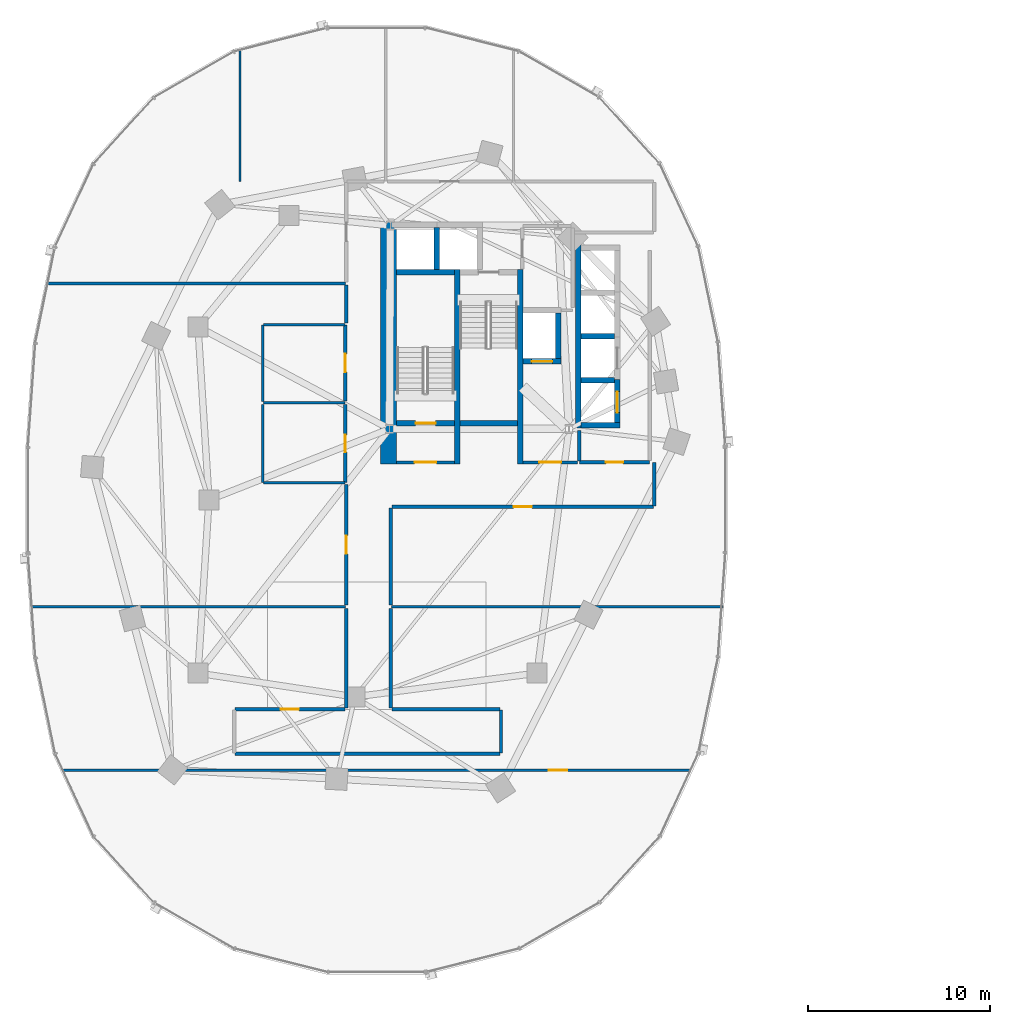
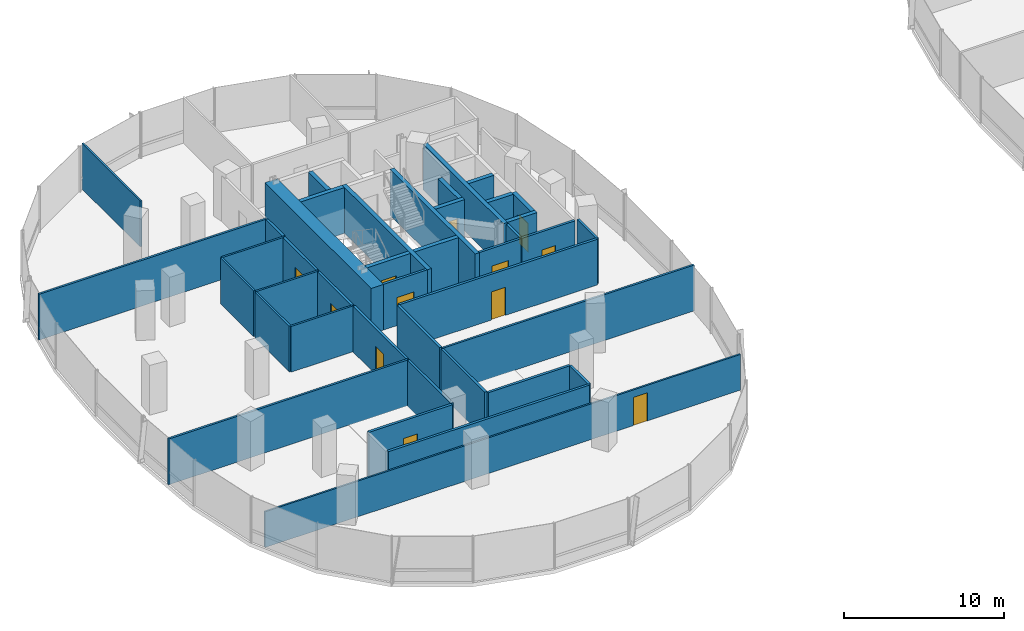
# One storey, part 11 of 21: 41 walls, 12 doors, 12 openings.
"""IFC4 building model written with IfcOpenShell, lengths in metres."""

from ifc_helpers import new_model, si_unit, direction, frame, frame_2d, origin, place, context, subcontext, project, spatial, rectangle, extrude, material, layer, layer_set, type_object, element, fill, save


model = new_model("IFC4")

# Units and contexts
model_context = context("Model", 3, precision=1e-05, world=origin(), true_north=direction((0.0, 1.0)))
body_context = subcontext(model_context, "Body", "Model", "MODEL_VIEW")
ifc_project = project(units=[si_unit("LENGTHUNIT", "METRE"), si_unit("AREAUNIT", "SQUARE_METRE"), si_unit("VOLUMEUNIT", "CUBIC_METRE"), si_unit("PLANEANGLEUNIT", "RADIAN"), si_unit("MASSUNIT", "GRAM", prefix="KILO"), si_unit("THERMODYNAMICTEMPERATUREUNIT", "KELVIN"), si_unit("POWERUNIT", "WATT")], contexts=[model_context])

# Site, building, storey
site_placement = place(None, origin())
site = spatial("IfcSite", under=ifc_project, at=site_placement, CompositionType="ELEMENT")
building_placement = place(site_placement, origin())
building = spatial("IfcBuilding", under=site, at=building_placement, Name="Cundina Bronze Exchange", CompositionType="ELEMENT")
storey_placement = place(building_placement, frame((0.0, 0.0, 58.199951171875)))
storey = spatial("IfcBuildingStorey", under=building, at=storey_placement, Name="L14", CompositionType="ELEMENT", Elevation=58.199951171875)

# Wall
ifc_material_1 = material(Name="Gypsum Fireboard Partition EI120")
ifc_layer_1 = layer(ifc_material_1, 0.179931640625, Name="Gypsum Fireboard Partition EI120")
ifc_layer_set_1 = layer_set([ifc_layer_1], Name="Gypsum Fireboard Partition EI120")
wall_type_1 = type_object("IfcWallType", Name="WL-COR-180", PredefinedType="PARTITIONING", material=ifc_layer_set_1)
wall_1_placement = place(storey_placement, frame((-20.889892578125, 2.14990234375, 0.0), z_axis=(0.0, 0.0, 1.0), x_axis=(0.0, 1.0, 0.0)))
element("IfcWall", 1, at=wall_1_placement, inside=storey, type_object=wall_type_1, Name="L14 W Firefighting Lobby Side Wall", PredefinedType="PARTITIONING", context=body_context, shape_type="SweptSolid", body=[
    extrude(rectangle(XDim=1.650146484375, YDim=0.179931640625, at=frame_2d((0.8251953125, 0.0))), origin(), (0.0, 0.0, 1.0), 3.5),
])

# Wall, opening, door
wall_2_placement = place(storey_placement, frame((-23.97998046875, 2.06005859375, 0.0), z_axis=(0.0, 0.0, 1.0), x_axis=(1.0, 0.0, 0.0)))
wall_2 = element("IfcWall", 2, at=wall_2_placement, inside=storey, type_object=wall_type_1, Name="L14 W Firefighting Lobby Exit Wall", PredefinedType="PARTITIONING", context=body_context, shape_type="SweptSolid", body=[
    extrude(rectangle(XDim=3.0, YDim=0.179931640625, at=frame_2d((1.5, 0.0))), origin(), (0.0, 0.0, 1.0), 3.5),
])
opening_1_placement = place(wall_2_placement, frame((0.89990234375, 0.0, 0.0)))
opening_1 = element("IfcOpeningElement", 3, at=opening_1_placement, cuts=wall_2, Name="Opening DF-01", PredefinedType="OPENING", context=body_context, shape_type="SweptSolid", body=[
    extrude(rectangle(XDim=1.199951171875, YDim=2.14990234375, at=frame_2d((0.60009765625, 1.074951171875))), frame((0.0, 0.099853515625, 0.0), z_axis=(0.0, -1.0, 0.0), x_axis=(1.0, 0.0, 0.0)), (0.0, 0.0, 1.0), 0.199951171875),
])
ifc_material_2 = material(Name="Steel ASTM A36 Painted", Category="steel")
door_type_1 = type_object("IfcDoorType", Name="DR-FFL-1200", OperationType="NOTDEFINED", PredefinedType="DOOR", material=ifc_material_2)
door_1_placement = place(opening_1_placement, origin())
door_1 = element("IfcDoor", 4, at=door_1_placement, inside=storey, type_object=door_type_1, Name="L14 W Firefighting Lobby Door", OperationType="SINGLE_SWING_RIGHT", OverallHeight=2.14990234375, OverallWidth=1.199951171875, PredefinedType="DOOR", context=body_context, shape_type="SweptSolid", body=[
    extrude(rectangle(XDim=1.199951171875, YDim=2.14990234375, at=frame_2d((0.60009765625, 1.074951171875))), frame((0.0, 0.02490234375, 0.0), z_axis=(0.0, -1.0, 0.0), x_axis=(1.0, 0.0, 0.0)), (0.0, 0.0, 1.0), 0.050048828125),
])
fill(opening_1, door_1)

wall_3_placement = place(storey_placement, frame((-30.89990234375, 2.06005859375, 0.0), z_axis=(0.0, 0.0, 1.0), x_axis=(1.0, 0.0, 0.0)))
wall_3 = element("IfcWall", 5, at=wall_3_placement, inside=storey, type_object=wall_type_1, Name="L14 W Stair Vestibule Exit Wall", PredefinedType="PARTITIONING", context=body_context, shape_type="SweptSolid", body=[
    extrude(rectangle(XDim=3.159912109375, YDim=0.179931640625, at=frame_2d((1.580078125, 0.0))), origin(), (0.0, 0.0, 1.0), 3.5),
])
opening_2_placement = place(wall_3_placement, frame((0.97998046875, 0.0, 0.0)))
opening_2 = element("IfcOpeningElement", 6, at=opening_2_placement, cuts=wall_3, Name="Opening DF-01", PredefinedType="OPENING", context=body_context, shape_type="SweptSolid", body=[
    extrude(rectangle(XDim=1.199951171875, YDim=2.14990234375, at=frame_2d((0.60009765625, 1.074951171875))), frame((0.0, 0.099853515625, 0.0), z_axis=(0.0, -1.0, 0.0), x_axis=(1.0, 0.0, 0.0)), (0.0, 0.0, 1.0), 0.199951171875),
])
door_2_placement = place(opening_2_placement, origin())
door_2 = element("IfcDoor", 7, at=door_2_placement, inside=storey, type_object=door_type_1, Name="L14 W Stair Vestibule Door", OperationType="SINGLE_SWING_LEFT", OverallHeight=2.14990234375, OverallWidth=1.199951171875, PredefinedType="DOOR", context=body_context, shape_type="SweptSolid", body=[
    extrude(rectangle(XDim=1.199951171875, YDim=2.14990234375, at=frame_2d((0.60009765625, 1.074951171875))), frame((0.0, 0.02490234375, 0.0), z_axis=(0.0, -1.0, 0.0), x_axis=(1.0, 0.0, 0.0)), (0.0, 0.0, 1.0), 0.050048828125),
])
fill(opening_2, door_2)

wall_4_placement = place(storey_placement, frame((-20.8701171875, 2.070068359375, 0.0), z_axis=(0.0, 0.0, 1.0), x_axis=(1.0, 0.0, 0.0)))
wall_4 = element("IfcWall", 8, at=wall_4_placement, inside=storey, type_object=wall_type_1, Name="L14 Interior Partition 002", PredefinedType="PARTITIONING", context=body_context, shape_type="SweptSolid", body=[
    extrude(rectangle(XDim=3.830078125, YDim=0.179931640625, at=frame_2d((1.9150390625, 0.0))), origin(), (0.0, 0.0, 1.0), 3.5),
])
opening_3_placement = place(wall_4_placement, frame((1.43994140625, 0.0, 0.0)))
opening_3 = element("IfcOpeningElement", 9, at=opening_3_placement, cuts=wall_4, Name="Opening DW-01", PredefinedType="OPENING", context=body_context, shape_type="SweptSolid", body=[
    extrude(rectangle(XDim=0.949951171875, YDim=2.10009765625, at=frame_2d((0.47509765625, 1.050048828125))), frame((0.0, 0.099853515625, 0.0), z_axis=(0.0, -1.0, 0.0), x_axis=(1.0, 0.0, 0.0)), (0.0, 0.0, 1.0), 0.199951171875),
])
ifc_material_3 = material(Name="Solid Andean Oak Timber Grade A", Category="wood")
door_type_2 = type_object("IfcDoorType", Name="DR-WC-950", OperationType="NOTDEFINED", PredefinedType="DOOR", material=ifc_material_3)
door_3_placement = place(opening_3_placement, origin())
door_3 = element("IfcDoor", 10, at=door_3_placement, inside=storey, type_object=door_type_2, Name="L14 Interior Door 002", OperationType="SINGLE_SWING_RIGHT", OverallHeight=2.10009765625, OverallWidth=0.949951171875, PredefinedType="DOOR", context=body_context, shape_type="SweptSolid", body=[
    extrude(rectangle(XDim=0.949951171875, YDim=2.10009765625, at=frame_2d((0.47509765625, 1.050048828125))), frame((0.0, 0.02490234375, 0.0), z_axis=(0.0, -1.0, 0.0), x_axis=(1.0, 0.0, 0.0)), (0.0, 0.0, 1.0), 0.050048828125),
])
fill(opening_3, door_3)

wall_5_placement = place(storey_placement, frame((-33.719970703125, 0.969970703125, 0.0), z_axis=(0.0, 0.0, 1.0), x_axis=(0.0, 1.0, 0.0)))
wall_5 = element("IfcWall", 11, at=wall_5_placement, inside=storey, type_object=wall_type_1, Name="L14 Interior Partition 012", PredefinedType="PARTITIONING", context=body_context, shape_type="SweptSolid", body=[
    extrude(rectangle(XDim=4.260009765625, YDim=0.179931640625, at=frame_2d((2.1298828125, 0.0))), origin(), (0.0, 0.0, 1.0), 3.5),
])
opening_4_placement = place(wall_5_placement, frame((1.655029296875, 0.0, 0.0)))
opening_4 = element("IfcOpeningElement", 12, at=opening_4_placement, cuts=wall_5, Name="Opening DW-01", PredefinedType="OPENING", context=body_context, shape_type="SweptSolid", body=[
    extrude(rectangle(XDim=0.949951171875, YDim=2.10009765625, at=frame_2d((0.47509765625, 1.050048828125))), frame((0.0, 0.099853515625, 0.0), z_axis=(0.0, -1.0, 0.0), x_axis=(1.0, 0.0, 0.0)), (0.0, 0.0, 1.0), 0.199951171875),
])
door_4_placement = place(opening_4_placement, origin())
door_4 = element("IfcDoor", 13, at=door_4_placement, inside=storey, type_object=door_type_2, Name="L14 Interior Door 012", OperationType="SINGLE_SWING_RIGHT", OverallHeight=2.10009765625, OverallWidth=0.949951171875, PredefinedType="DOOR", context=body_context, shape_type="SweptSolid", body=[
    extrude(rectangle(XDim=0.949951171875, YDim=2.10009765625, at=frame_2d((0.47509765625, 1.050048828125))), frame((0.0, 0.02490234375, 0.0), z_axis=(0.0, -1.0, 0.0), x_axis=(1.0, 0.0, 0.0)), (0.0, 0.0, 1.0), 0.050048828125),
])
fill(opening_4, door_4)

wall_6_placement = place(storey_placement, frame((-33.719970703125, 5.429931640625, 0.0), z_axis=(0.0, 0.0, 1.0), x_axis=(0.0, 1.0, 0.0)))
wall_6 = element("IfcWall", 14, at=wall_6_placement, inside=storey, type_object=wall_type_1, Name="L14 Interior Partition 013", PredefinedType="PARTITIONING", context=body_context, shape_type="SweptSolid", body=[
    extrude(rectangle(XDim=4.16015625, YDim=0.179931640625, at=frame_2d((2.080078125, 0.0))), origin(), (0.0, 0.0, 1.0), 3.5),
])
opening_5_placement = place(wall_6_placement, frame((1.580078125, 0.0, 0.0)))
opening_5 = element("IfcOpeningElement", 15, at=opening_5_placement, cuts=wall_6, Name="Opening DO-01", PredefinedType="OPENING", context=body_context, shape_type="SweptSolid", body=[
    extrude(rectangle(XDim=1.0, YDim=2.14990234375, at=frame_2d((0.5, 1.074951171875))), frame((0.0, 0.099853515625, 0.0), z_axis=(0.0, -1.0, 0.0), x_axis=(1.0, 0.0, 0.0)), (0.0, 0.0, 1.0), 0.199951171875),
])
door_type_3 = type_object("IfcDoorType", Name="DR-OFF-1000", OperationType="NOTDEFINED", PredefinedType="DOOR", material=ifc_material_3)
door_5_placement = place(opening_5_placement, origin())
door_5 = element("IfcDoor", 16, at=door_5_placement, inside=storey, type_object=door_type_3, Name="L14 Interior Door 013", OperationType="SINGLE_SWING_RIGHT", OverallHeight=2.14990234375, OverallWidth=1.0, PredefinedType="DOOR", context=body_context, shape_type="SweptSolid", body=[
    extrude(rectangle(XDim=1.0, YDim=2.14990234375, at=frame_2d((0.5, 1.074951171875))), frame((0.0, 0.02490234375, 0.0), z_axis=(0.0, -1.0, 0.0), x_axis=(1.0, 0.0, 0.0)), (0.0, 0.0, 1.0), 0.050048828125),
])
fill(opening_5, door_5)

# Wall
wall_7_placement = place(storey_placement, frame((-39.778564453125, -13.919921875, 0.0), z_axis=(0.0, 0.0, 1.0), x_axis=(1.0, 0.0, 0.0)))
element("IfcWall", 17, at=wall_7_placement, inside=storey, type_object=wall_type_1, Name="L14 Interior Partition 020", PredefinedType="PARTITIONING", context=body_context, shape_type="SweptSolid", body=[
    extrude(rectangle(XDim=14.55712890625, YDim=0.179931640625, at=frame_2d((7.278564453125, 0.0))), origin(), (0.0, 0.0, 1.0), 3.5),
])

# Wall, opening, door
wall_8_placement = place(storey_placement, frame((-33.75, -11.47998046875, 0.0), z_axis=(0.0, 0.0, 1.0), x_axis=(-1.0, 0.0, 0.0)))
wall_8 = element("IfcWall", 18, at=wall_8_placement, inside=storey, type_object=wall_type_1, Name="L14 Interior Partition 021", PredefinedType="PARTITIONING", context=body_context, shape_type="SweptSolid", body=[
    extrude(rectangle(XDim=6.028564453125, YDim=0.179931640625, at=frame_2d((3.01416015625, 0.0))), origin(), (0.0, 0.0, 1.0), 3.5),
])
opening_6_placement = place(wall_8_placement, frame((2.514404296875, 0.0, 0.0)))
opening_6 = element("IfcOpeningElement", 19, at=opening_6_placement, cuts=wall_8, Name="Opening DO-01", PredefinedType="OPENING", context=body_context, shape_type="SweptSolid", body=[
    extrude(rectangle(XDim=1.0, YDim=2.14990234375, at=frame_2d((0.5, 1.074951171875))), frame((0.0, 0.099853515625, 0.0), z_axis=(0.0, -1.0, 0.0), x_axis=(1.0, 0.0, 0.0)), (0.0, 0.0, 1.0), 0.199951171875),
])
door_6_placement = place(opening_6_placement, origin())
door_6 = element("IfcDoor", 20, at=door_6_placement, inside=storey, type_object=door_type_3, Name="L14 Interior Door 021", OperationType="SINGLE_SWING_LEFT", OverallHeight=2.14990234375, OverallWidth=1.0, PredefinedType="DOOR", context=body_context, shape_type="SweptSolid", body=[
    extrude(rectangle(XDim=1.0, YDim=2.14990234375, at=frame_2d((0.5, 1.074951171875))), frame((0.0, 0.02490234375, 0.0), z_axis=(0.0, -1.0, 0.0), x_axis=(1.0, 0.0, 0.0)), (0.0, 0.0, 1.0), 0.050048828125),
])
fill(opening_6, door_6)

# Walls
wall_9_placement = place(storey_placement, frame((-25.221435546875, -11.47998046875, 0.0), z_axis=(0.0, 0.0, 1.0), x_axis=(-1.0, 0.0, 0.0)))
element("IfcWall", 21, at=wall_9_placement, inside=storey, type_object=wall_type_1, Name="L14 Interior Partition 022", PredefinedType="PARTITIONING", context=body_context, shape_type="SweptSolid", body=[
    extrude(rectangle(XDim=5.928466796875, YDim=0.179931640625, at=frame_2d((2.96435546875, 0.0))), origin(), (0.0, 0.0, 1.0), 3.5),
])
for number, where, z_axis, x_axis, name in (
    (22, (-33.669921875, -5.949951171875, 0.0), (0.0, 0.0, 1.0), (0.0, -1.0, 0.0), "L14 Interior Partition 023"),
    (23, (-31.22998046875, -11.39990234375, 0.0), (0.0, 0.0, 1.0), (0.0, 1.0, 0.0), "L14 Interior Partition 024"),
):
    element("IfcWall", number, at=place(storey_placement, frame(where, z_axis=z_axis, x_axis=x_axis)), inside=storey, type_object=wall_type_1, Name=name, PredefinedType="PARTITIONING", context=body_context, shape_type="SweptSolid", body=[
        extrude(rectangle(XDim=5.449951171875, YDim=0.179931640625, at=frame_2d((2.72509765625, 0.0))), origin(), (0.0, 0.0, 1.0), 3.5),
    ])
wall_10_placement = place(storey_placement, frame((-25.179931640625, -13.87841796875, 0.0), z_axis=(0.0, 0.0, 1.0), x_axis=(0.0, 1.0, 0.0)))
element("IfcWall", 24, at=wall_10_placement, inside=storey, type_object=wall_type_1, Name="L14 Interior Partition 026", PredefinedType="PARTITIONING", context=body_context, shape_type="SweptSolid", body=[
    extrude(rectangle(XDim=2.35693359375, YDim=0.179931640625, at=frame_2d((1.178466796875, 0.0))), origin(), (0.0, 0.0, 1.0), 3.5),
])

# Wall, opening, door
wall_11_placement = place(storey_placement, frame((-33.669921875, 0.858642578125, 0.0), z_axis=(0.0, 0.0, 1.0), x_axis=(0.0, -1.0, 0.0)))
wall_11 = element("IfcWall", 25, at=wall_11_placement, inside=storey, type_object=wall_type_1, Name="L14 Interior Partition 027", PredefinedType="PARTITIONING", context=body_context, shape_type="SweptSolid", body=[
    extrude(rectangle(XDim=6.628662109375, YDim=0.179931640625, at=frame_2d((3.314453125, 0.0))), origin(), (0.0, 0.0, 1.0), 3.5),
])
opening_7_placement = place(wall_11_placement, frame((2.814208984375, 0.0, 0.0)))
opening_7 = element("IfcOpeningElement", 26, at=opening_7_placement, cuts=wall_11, Name="Opening DO-01", PredefinedType="OPENING", context=body_context, shape_type="SweptSolid", body=[
    extrude(rectangle(XDim=1.0, YDim=2.14990234375, at=frame_2d((0.5, 1.074951171875))), frame((0.0, 0.099853515625, 0.0), z_axis=(0.0, -1.0, 0.0), x_axis=(1.0, 0.0, 0.0)), (0.0, 0.0, 1.0), 0.199951171875),
])
door_7_placement = place(opening_7_placement, origin())
door_7 = element("IfcDoor", 27, at=door_7_placement, inside=storey, type_object=door_type_3, Name="L14 Interior Door 027", OperationType="SINGLE_SWING_RIGHT", OverallHeight=2.14990234375, OverallWidth=1.0, PredefinedType="DOOR", context=body_context, shape_type="SweptSolid", body=[
    extrude(rectangle(XDim=1.0, YDim=2.14990234375, at=frame_2d((0.5, 1.074951171875))), frame((0.0, 0.02490234375, 0.0), z_axis=(0.0, -1.0, 0.0), x_axis=(1.0, 0.0, 0.0)), (0.0, 0.0, 1.0), 0.050048828125),
])
fill(opening_7, door_7)

# Wall
wall_12_placement = place(storey_placement, frame((-33.669921875, 11.7900390625, 0.0), z_axis=(0.0, 0.0, 1.0), x_axis=(0.0, -1.0, 0.0)))
element("IfcWall", 28, at=wall_12_placement, inside=storey, type_object=wall_type_1, Name="L14 Interior Partition 028", PredefinedType="PARTITIONING", context=body_context, shape_type="SweptSolid", body=[
    extrude(rectangle(XDim=2.088623046875, YDim=0.179931640625, at=frame_2d((1.04443359375, 0.0))), origin(), (0.0, 0.0, 1.0), 3.5),
])

# Wall, opening, door
wall_13_placement = place(storey_placement, frame((-31.14990234375, -0.3701171875, 0.0), z_axis=(0.0, 0.0, 1.0), x_axis=(1.0, 0.0, 0.0)))
wall_13 = element("IfcWall", 29, at=wall_13_placement, inside=storey, type_object=wall_type_1, Name="L14 Interior Partition 029", PredefinedType="PARTITIONING", context=body_context, shape_type="SweptSolid", body=[
    extrude(rectangle(XDim=14.328369140625, YDim=0.179931640625, at=frame_2d((7.1640625, 0.0))), origin(), (0.0, 0.0, 1.0), 3.5),
])
opening_8_placement = place(wall_13_placement, frame((6.664306640625, 0.0, 0.0)))
opening_8 = element("IfcOpeningElement", 30, at=opening_8_placement, cuts=wall_13, Name="Opening DO-01", PredefinedType="OPENING", context=body_context, shape_type="SweptSolid", body=[
    extrude(rectangle(XDim=1.0, YDim=2.14990234375, at=frame_2d((0.5, 1.074951171875))), frame((0.0, 0.099853515625, 0.0), z_axis=(0.0, -1.0, 0.0), x_axis=(1.0, 0.0, 0.0)), (0.0, 0.0, 1.0), 0.199951171875),
])
door_8_placement = place(opening_8_placement, origin())
door_8 = element("IfcDoor", 31, at=door_8_placement, inside=storey, type_object=door_type_3, Name="L14 Interior Door 029", OperationType="SINGLE_SWING_RIGHT", OverallHeight=2.14990234375, OverallWidth=1.0, PredefinedType="DOOR", context=body_context, shape_type="SweptSolid", body=[
    extrude(rectangle(XDim=1.0, YDim=2.14990234375, at=frame_2d((0.5, 1.074951171875))), frame((0.0, 0.02490234375, 0.0), z_axis=(0.0, -1.0, 0.0), x_axis=(1.0, 0.0, 0.0)), (0.0, 0.0, 1.0), 0.050048828125),
])
fill(opening_8, door_8)

# Walls
wall_14_placement = place(storey_placement, frame((-31.22998046875, -5.77001953125, 0.0), z_axis=(0.0, 0.0, 1.0), x_axis=(0.0, 1.0, 0.0)))
element("IfcWall", 32, at=wall_14_placement, inside=storey, type_object=wall_type_1, Name="L14 Interior Partition 031", PredefinedType="PARTITIONING", context=body_context, shape_type="SweptSolid", body=[
    extrude(rectangle(XDim=5.320068359375, YDim=0.179931640625, at=frame_2d((2.66015625, 0.0))), origin(), (0.0, 0.0, 1.0), 3.5),
])
wall_15_placement = place(storey_placement, frame((-16.780029296875, -0.32861328125, 0.0), z_axis=(0.0, 0.0, 1.0), x_axis=(0.0, 1.0, 0.0)))
element("IfcWall", 33, at=wall_15_placement, inside=storey, type_object=wall_type_1, Name="L14 Interior Partition 034", PredefinedType="PARTITIONING", context=body_context, shape_type="SweptSolid", body=[
    extrude(rectangle(XDim=2.38720703125, YDim=0.179931640625, at=frame_2d((1.193603515625, 0.0))), origin(), (0.0, 0.0, 1.0), 3.5),
])
ifc_material_4 = material(Name="Concrete C60/75", Category="concrete")
ifc_layer_2 = layer(ifc_material_4, 0.89990234375, Name="Concrete C60/75", Category="concrete")
ifc_layer_set_2 = layer_set([ifc_layer_2], Name="Concrete C60/75")
wall_type_2 = type_object("IfcWallType", Name="WL-CORE-900", PredefinedType="SHEAR", material=ifc_layer_set_2)
wall_16_placement = place(storey_placement, frame((-31.35009765625, 1.969970703125, 0.0), z_axis=(0.0, 0.0, 1.0), x_axis=(0.0, 1.0, 0.0)))
element("IfcWall", 34, at=wall_16_placement, inside=storey, type_object=wall_type_2, Name="L14 W Primary Core Shear Spine Wall", PredefinedType="SHEAR", context=body_context, shape_type="SweptSolid", body=[
    extrude(rectangle(XDim=13.330078125, YDim=0.89990234375, at=frame_2d((6.6650390625, 0.0))), origin(), (0.0, 0.0, 1.0), 3.5),
])
ifc_material_5 = material(Name="Gypsum Acoustic Partition EI60")
ifc_layer_3 = layer(ifc_material_5, 0.125, Name="Gypsum Acoustic Partition EI60")
ifc_layer_set_3 = layer_set([ifc_layer_3], Name="Gypsum Acoustic Partition EI60")
wall_type_3 = type_object("IfcWallType", Name="WL-OFF-125", PredefinedType="PARTITIONING", material=ifc_layer_set_3)
wall_17_placement = place(storey_placement, frame((-39.5, 17.469970703125, 0.0), z_axis=(0.0, 0.0, 1.0), x_axis=(0.0, 1.0, 0.0)))
element("IfcWall", 35, at=wall_17_placement, inside=storey, type_object=wall_type_3, Name="L14 Interior Partition 017", PredefinedType="PARTITIONING", context=body_context, shape_type="SweptSolid", body=[
    extrude(rectangle(XDim=7.30224609375, YDim=0.125, at=frame_2d((3.651123046875, 0.0))), origin(), (0.0, 0.0, 1.0), 3.5),
])

# Wall, opening, door
wall_18_placement = place(storey_placement, frame((-49.1953125, -14.820068359375, 0.0), z_axis=(0.0, 0.0, 1.0), x_axis=(1.0, 0.0, 0.0)))
wall_18 = element("IfcWall", 36, at=wall_18_placement, inside=storey, type_object=wall_type_3, Name="L14 Interior Partition 038", PredefinedType="PARTITIONING", context=body_context, shape_type="SweptSolid", body=[
    extrude(rectangle(XDim=34.390625, YDim=0.125, at=frame_2d((17.1953125, 0.0))), origin(), (0.0, 0.0, 1.0), 2.72705078125),
])
opening_9_placement = place(wall_18_placement, frame((26.640625, 0.0, 0.0)))
opening_9 = element("IfcOpeningElement", 37, at=opening_9_placement, cuts=wall_18, Name="Opening DO-01", PredefinedType="OPENING", context=body_context, shape_type="SweptSolid", body=[
    extrude(rectangle(XDim=1.0, YDim=2.14990234375, at=frame_2d((0.5, 1.074951171875))), frame((0.0, 0.072509765625, 0.0), z_axis=(0.0, -1.0, 0.0), x_axis=(1.0, 0.0, 0.0)), (0.0, 0.0, 1.0), 0.14501953125),
])
door_9_placement = place(opening_9_placement, origin())
door_9 = element("IfcDoor", 38, at=door_9_placement, inside=storey, type_object=door_type_3, Name="L14 Interior Door 038", OperationType="SINGLE_SWING_RIGHT", OverallHeight=2.14990234375, OverallWidth=1.0, PredefinedType="DOOR", context=body_context, shape_type="SweptSolid", body=[
    extrude(rectangle(XDim=1.0, YDim=2.14990234375, at=frame_2d((0.5, 1.074951171875))), frame((0.0, 0.02490234375, 0.0), z_axis=(0.0, -1.0, 0.0), x_axis=(1.0, 0.0, 0.0)), (0.0, 0.0, 1.0), 0.050048828125),
])
fill(opening_9, door_9)

# Walls
ifc_material_6 = material(Name="Concrete C50/60", Category="concrete")
ifc_layer_4 = layer(ifc_material_6, 0.300048828125, Name="Concrete C50/60", Category="concrete")
ifc_layer_set_4 = layer_set([ifc_layer_4], Name="Concrete C50/60")
wall_type_4 = type_object("IfcWallType", Name="WL-SHFT-300", PredefinedType="SHEAR", material=ifc_layer_set_4)
for number, where, z_axis, x_axis, name in (
    (39, (-27.590087890625, 1.969970703125, 0.0), (0.0, 0.0, 1.0), (0.0, 1.0, 0.0), "L14 W Stair Shaft Dividing Shear Wall"),
    (40, (-24.1298828125, 1.969970703125, 0.0), (0.0, 0.0, 1.0), (0.0, 1.0, 0.0), "L14 W Stair 2 East Shear Wall"),
):
    element("IfcWall", number, at=place(storey_placement, frame(where, z_axis=z_axis, x_axis=x_axis)), inside=storey, type_object=wall_type_4, Name=name, PredefinedType="SHEAR", context=body_context, shape_type="SweptSolid", body=[
        extrude(rectangle(XDim=10.679931640625, YDim=0.300048828125, at=frame_2d((5.33984375, 0.0))), origin(), (0.0, 0.0, 1.0), 3.5),
    ])

# Wall, opening, door
wall_19_placement = place(storey_placement, frame((-30.89990234375, 4.199951171875, 0.0), z_axis=(0.0, 0.0, 1.0), x_axis=(1.0, 0.0, 0.0)))
wall_19 = element("IfcWall", 41, at=wall_19_placement, inside=storey, type_object=wall_type_4, Name="L14 Stair W1 Landing Wall", PredefinedType="SHEAR", context=body_context, shape_type="SweptSolid", body=[
    extrude(rectangle(XDim=3.159912109375, YDim=0.300048828125, at=frame_2d((1.580078125, 0.0))), origin(), (0.0, 0.0, 1.0), 3.5),
])
opening_10_placement = place(wall_19_placement, frame((1.030029296875, 0.0, 0.0)))
opening_10 = element("IfcOpeningElement", 42, at=opening_10_placement, cuts=wall_19, Name="Opening DS-01", PredefinedType="OPENING", context=body_context, shape_type="SweptSolid", body=[
    extrude(rectangle(XDim=1.10009765625, YDim=2.14990234375, at=frame_2d((0.550048828125, 1.074951171875))), frame((0.0, 0.159912109375, 0.0), z_axis=(0.0, -1.0, 0.0), x_axis=(1.0, 0.0, 0.0)), (0.0, 0.0, 1.0), 0.320068359375),
])
door_type_4 = type_object("IfcDoorType", Name="DR-STR-1100", OperationType="NOTDEFINED", PredefinedType="DOOR", material=ifc_material_2)
door_10_placement = place(opening_10_placement, origin())
door_10 = element("IfcDoor", 43, at=door_10_placement, inside=storey, type_object=door_type_4, Name="L14 Smokeproof Stair W1 Door", OperationType="SINGLE_SWING_RIGHT", OverallHeight=2.14990234375, OverallWidth=1.10009765625, PredefinedType="DOOR", context=body_context, shape_type="SweptSolid", body=[
    extrude(rectangle(XDim=1.10009765625, YDim=2.14990234375, at=frame_2d((0.550048828125, 1.074951171875))), frame((0.0, 0.02490234375, 0.0), z_axis=(0.0, -1.0, 0.0), x_axis=(1.0, 0.0, 0.0)), (0.0, 0.0, 1.0), 0.050048828125),
])
fill(opening_10, door_10)

# Walls
for number, where, z_axis, x_axis, name in (
    (44, (-30.89990234375, 12.5, 0.0), (0.0, 0.0, 1.0), (1.0, 0.0, 0.0), "L14 Stair W1 Far Shaft Wall"),
    (45, (-27.43994140625, 4.199951171875, 0.0), (0.0, 0.0, 1.0), (1.0, 0.0, 0.0), "L14 Stair W2 Far Shaft Wall"),
):
    element("IfcWall", number, at=place(storey_placement, frame(where, z_axis=z_axis, x_axis=x_axis)), inside=storey, type_object=wall_type_4, Name=name, PredefinedType="SHEAR", context=body_context, shape_type="SweptSolid", body=[
        extrude(rectangle(XDim=3.159912109375, YDim=0.300048828125, at=frame_2d((1.580078125, 0.0))), origin(), (0.0, 0.0, 1.0), 3.5),
    ])

# Wall, opening, door
wall_20_placement = place(storey_placement, frame((-23.97998046875, 7.60009765625, 0.0), z_axis=(0.0, 0.0, 1.0), x_axis=(1.0, 0.0, 0.0)))
wall_20 = element("IfcWall", 46, at=wall_20_placement, inside=storey, type_object=wall_type_4, Name="L14 FFL-W Hoistway Front Wall", PredefinedType="SHEAR", context=body_context, shape_type="SweptSolid", body=[
    extrude(rectangle(XDim=2.10009765625, YDim=0.300048828125, at=frame_2d((1.050048828125, 0.0))), origin(), (0.0, 0.0, 1.0), 3.5),
])
opening_11_placement = place(wall_20_placement, frame((0.47509765625, 0.0, 0.0)))
opening_11 = element("IfcOpeningElement", 47, at=opening_11_placement, cuts=wall_20, Name="Opening LD-01", PredefinedType="OPENING", context=body_context, shape_type="SweptSolid", body=[
    extrude(rectangle(XDim=1.14990234375, YDim=2.199951171875, at=frame_2d((0.574951171875, 1.10009765625))), frame((0.0, 0.159912109375, 0.0), z_axis=(0.0, -1.0, 0.0), x_axis=(1.0, 0.0, 0.0)), (0.0, 0.0, 1.0), 0.320068359375),
])
door_type_5 = type_object("IfcDoorType", Name="DR-LND-1150", OperationType="NOTDEFINED", PredefinedType="TRAPDOOR", material=ifc_material_2)
door_11_placement = place(opening_11_placement, origin())
door_11 = element("IfcDoor", 48, at=door_11_placement, inside=storey, type_object=door_type_5, Name="L14 FFL-W Sliding Landing Door", OperationType="SLIDING_TO_LEFT", OverallHeight=2.199951171875, OverallWidth=1.14990234375, PredefinedType="TRAPDOOR", context=body_context, shape_type="SweptSolid", body=[
    extrude(rectangle(XDim=1.14990234375, YDim=2.199951171875, at=frame_2d((0.574951171875, 1.10009765625))), frame((0.0, 0.02490234375, 0.0), z_axis=(0.0, -1.0, 0.0), x_axis=(1.0, 0.0, 0.0)), (0.0, 0.0, 1.0), 0.050048828125),
])
fill(opening_11, door_11)

# Walls
wall_21_placement = place(storey_placement, frame((-22.030029296875, 7.75, 0.0), z_axis=(0.0, 0.0, 1.0), x_axis=(0.0, 1.0, 0.0)))
element("IfcWall", 49, at=wall_21_placement, inside=storey, type_object=wall_type_4, Name="L14 FFL-W Hoistway Side Wall", PredefinedType="SHEAR", context=body_context, shape_type="SweptSolid", body=[
    extrude(rectangle(XDim=2.5, YDim=0.300048828125, at=frame_2d((1.25, 0.0))), origin(), (0.0, 0.0, 1.0), 3.5),
])
wall_22_placement = place(storey_placement, frame((-28.699951171875, 12.64990234375, 0.0), z_axis=(0.0, 0.0, 1.0), x_axis=(0.0, 1.0, 0.0)))
element("IfcWall", 50, at=wall_22_placement, inside=storey, type_object=wall_type_4, Name="L14 PH-W1 Hoistway Divider Wall", PredefinedType="SHEAR", context=body_context, shape_type="SweptSolid", body=[
    extrude(rectangle(XDim=2.300048828125, YDim=0.300048828125, at=frame_2d((1.14990234375, 0.0))), origin(), (0.0, 0.0, 1.0), 3.5),
])
wall_23_placement = place(storey_placement, frame((-20.949951171875, 3.949951171875, 0.0), z_axis=(0.0, 0.0, 1.0), x_axis=(0.0, 1.0, 0.0)))
element("IfcWall", 51, at=wall_23_placement, inside=storey, type_object=wall_type_4, Name="L14 W Passenger Bank Hoistway Back Wall", PredefinedType="SHEAR", context=body_context, shape_type="SweptSolid", body=[
    extrude(rectangle(XDim=10.050048828125, YDim=0.300048828125, at=frame_2d((5.02490234375, 0.0))), origin(), (0.0, 0.0, 1.0), 3.5),
])
wall_24_placement = place(storey_placement, frame((-20.800048828125, 4.10009765625, 0.0), z_axis=(0.0, 0.0, 1.0), x_axis=(1.0, 0.0, 0.0)))
element("IfcWall", 52, at=wall_24_placement, inside=storey, type_object=wall_type_4, Name="L14 W Passenger Bank South Cap Wall", PredefinedType="SHEAR", context=body_context, shape_type="SweptSolid", body=[
    extrude(rectangle(XDim=2.150146484375, YDim=0.300048828125, at=frame_2d((1.0751953125, 0.0))), origin(), (0.0, 0.0, 1.0), 3.5),
])
for number, where, z_axis, x_axis, name in (
    (53, (-20.800048828125, 6.574951171875, 0.0), (0.0, 0.0, 1.0), (1.0, 0.0, 0.0), "L14 W Passenger Hoistway Divider 1"),
    (54, (-20.800048828125, 8.97509765625, 0.0), (0.0, 0.0, 1.0), (1.0, 0.0, 0.0), "L14 W Passenger Hoistway Divider 2"),
):
    element("IfcWall", number, at=place(storey_placement, frame(where, z_axis=z_axis, x_axis=x_axis)), inside=storey, type_object=wall_type_4, Name=name, PredefinedType="SHEAR", context=body_context, shape_type="SweptSolid", body=[
        extrude(rectangle(XDim=1.85009765625, YDim=0.300048828125, at=frame_2d((0.925048828125, 0.0))), origin(), (0.0, 0.0, 1.0), 3.5),
    ])

# Wall, opening, door
wall_25_placement = place(storey_placement, frame((-18.800048828125, 4.1298828125, 0.0), z_axis=(0.0, 0.0, 1.0), x_axis=(0.0, 1.0, 0.0)))
wall_25 = element("IfcWall", 55, at=wall_25_placement, inside=storey, type_object=wall_type_4, Name="L14 PL-W2 Hoistway Front Wall", PredefinedType="SHEAR", context=body_context, shape_type="SweptSolid", body=[
    extrude(rectangle(XDim=2.490234375, YDim=0.300048828125, at=frame_2d((1.2451171875, 0.0))), origin(), (0.0, 0.0, 1.0), 3.5),
])
opening_12_placement = place(wall_25_placement, frame((0.669921875, 0.0, 0.0)))
opening_12 = element("IfcOpeningElement", 56, at=opening_12_placement, cuts=wall_25, Name="Opening LD-01", PredefinedType="OPENING", context=body_context, shape_type="SweptSolid", body=[
    extrude(rectangle(XDim=1.14990234375, YDim=2.199951171875, at=frame_2d((0.574951171875, 1.10009765625))), frame((0.0, 0.159912109375, 0.0), z_axis=(0.0, -1.0, 0.0), x_axis=(1.0, 0.0, 0.0)), (0.0, 0.0, 1.0), 0.320068359375),
])
door_12_placement = place(opening_12_placement, origin())
door_12 = element("IfcDoor", 57, at=door_12_placement, inside=storey, type_object=door_type_5, Name="L14 PL-W2 Sliding Landing Door", OperationType="SLIDING_TO_LEFT", OverallHeight=2.199951171875, OverallWidth=1.14990234375, PredefinedType="TRAPDOOR", context=body_context, shape_type="SweptSolid", body=[
    extrude(rectangle(XDim=1.14990234375, YDim=2.199951171875, at=frame_2d((0.574951171875, 1.10009765625))), frame((0.0, 0.02490234375, 0.0), z_axis=(0.0, -1.0, 0.0), x_axis=(1.0, 0.0, 0.0)), (0.0, 0.0, 1.0), 0.050048828125),
])
fill(opening_12, door_12)

# Walls
ifc_layer_5 = layer(ifc_material_5, 0.14990234375, Name="Gypsum Acoustic Partition EI60")
ifc_layer_set_5 = layer_set([ifc_layer_5], Name="Gypsum Acoustic Partition EI60")
wall_type_5 = type_object("IfcWallType", Name="WL-TEN-150", PredefinedType="PARTITIONING", material=ifc_layer_set_5)
wall_26_placement = place(storey_placement, frame((-51.001708984375, -5.860107421875, 0.0), z_axis=(0.0, 0.0, 1.0), x_axis=(1.0, 0.0, 0.0)))
element("IfcWall", 58, at=wall_26_placement, inside=storey, type_object=wall_type_5, Name="L14 Interior Partition 014", PredefinedType="PARTITIONING", context=body_context, shape_type="SweptSolid", body=[
    extrude(rectangle(XDim=17.3017578125, YDim=0.14990234375, at=frame_2d((8.65087890625, 0.0))), origin(), (0.0, 0.0, 1.0), 3.5),
])
wall_27_placement = place(storey_placement, frame((-31.199951171875, -5.860107421875, 0.0), z_axis=(0.0, 0.0, 1.0), x_axis=(1.0, 0.0, 0.0)))
element("IfcWall", 59, at=wall_27_placement, inside=storey, type_object=wall_type_5, Name="L14 Interior Partition 015", PredefinedType="PARTITIONING", context=body_context, shape_type="SweptSolid", body=[
    extrude(rectangle(XDim=18.20166015625, YDim=0.14990234375, at=frame_2d((9.100830078125, 0.0))), origin(), (0.0, 0.0, 1.0), 3.5),
])
wall_28_placement = place(storey_placement, frame((-50.140869140625, 11.8798828125, 0.0), z_axis=(0.0, 0.0, 1.0), x_axis=(1.0, 0.0, 0.0)))
element("IfcWall", 60, at=wall_28_placement, inside=storey, type_object=wall_type_5, Name="L14 Interior Partition 016", PredefinedType="PARTITIONING", context=body_context, shape_type="SweptSolid", body=[
    extrude(rectangle(XDim=16.44091796875, YDim=0.14990234375, at=frame_2d((8.220458984375, 0.0))), origin(), (0.0, 0.0, 1.0), 3.5),
])
ifc_material_7 = material(Name="Moisture-Resistant Masonry Block Grade M15", Category="masonry")
ifc_layer_6 = layer(ifc_material_7, 0.139892578125, Name="Moisture-Resistant Masonry Block Grade M15", Category="masonry")
ifc_layer_set_6 = layer_set([ifc_layer_6], Name="Moisture-Resistant Masonry Block Grade M15")
wall_type_6 = type_object("IfcWallType", Name="WL-WET-140", PredefinedType="PARTITIONING", material=ifc_layer_set_6)
wall_29_placement = place(storey_placement, frame((-38.239990234375, 0.969970703125, 0.0), z_axis=(0.0, 0.0, 1.0), x_axis=(0.0, 1.0, 0.0)))
element("IfcWall", 61, at=wall_29_placement, inside=storey, type_object=wall_type_6, Name="L14 Interior Partition 007", PredefinedType="PARTITIONING", context=body_context, shape_type="SweptSolid", body=[
    extrude(rectangle(XDim=4.275146484375, YDim=0.139892578125, at=frame_2d((2.1376953125, 0.0))), origin(), (0.0, 0.0, 1.0), 3.5),
])
wall_30_placement = place(storey_placement, frame((-38.239990234375, 5.4150390625, 0.0), z_axis=(0.0, 0.0, 1.0), x_axis=(0.0, 1.0, 0.0)))
element("IfcWall", 62, at=wall_30_placement, inside=storey, type_object=wall_type_6, Name="L14 Interior Partition 008", PredefinedType="PARTITIONING", context=body_context, shape_type="SweptSolid", body=[
    extrude(rectangle(XDim=4.175048828125, YDim=0.139892578125, at=frame_2d((2.08740234375, 0.0))), origin(), (0.0, 0.0, 1.0), 3.5),
])
for number, where, z_axis, x_axis, name in (
    (63, (-38.219970703125, 0.949951171875, 0.0), (0.0, 0.0, 1.0), (1.0, 0.0, 0.0), "L14 Interior Partition 009"),
    (64, (-38.219970703125, 5.330078125, 0.0), (0.0, 0.0, 1.0), (1.0, 0.0, 0.0), "L14 Interior Partition 010"),
    (65, (-38.219970703125, 9.610107421875, 0.0), (0.0, 0.0, 1.0), (1.0, 0.0, 0.0), "L14 Interior Partition 011"),
):
    element("IfcWall", number, at=place(storey_placement, frame(where, z_axis=z_axis, x_axis=x_axis)), inside=storey, type_object=wall_type_6, Name=name, PredefinedType="PARTITIONING", context=body_context, shape_type="SweptSolid", body=[
        extrude(rectangle(XDim=4.47998046875, YDim=0.139892578125, at=frame_2d((2.239990234375, 0.0))), origin(), (0.0, 0.0, 1.0), 3.5),
    ])

save(model, "model.ifc")
